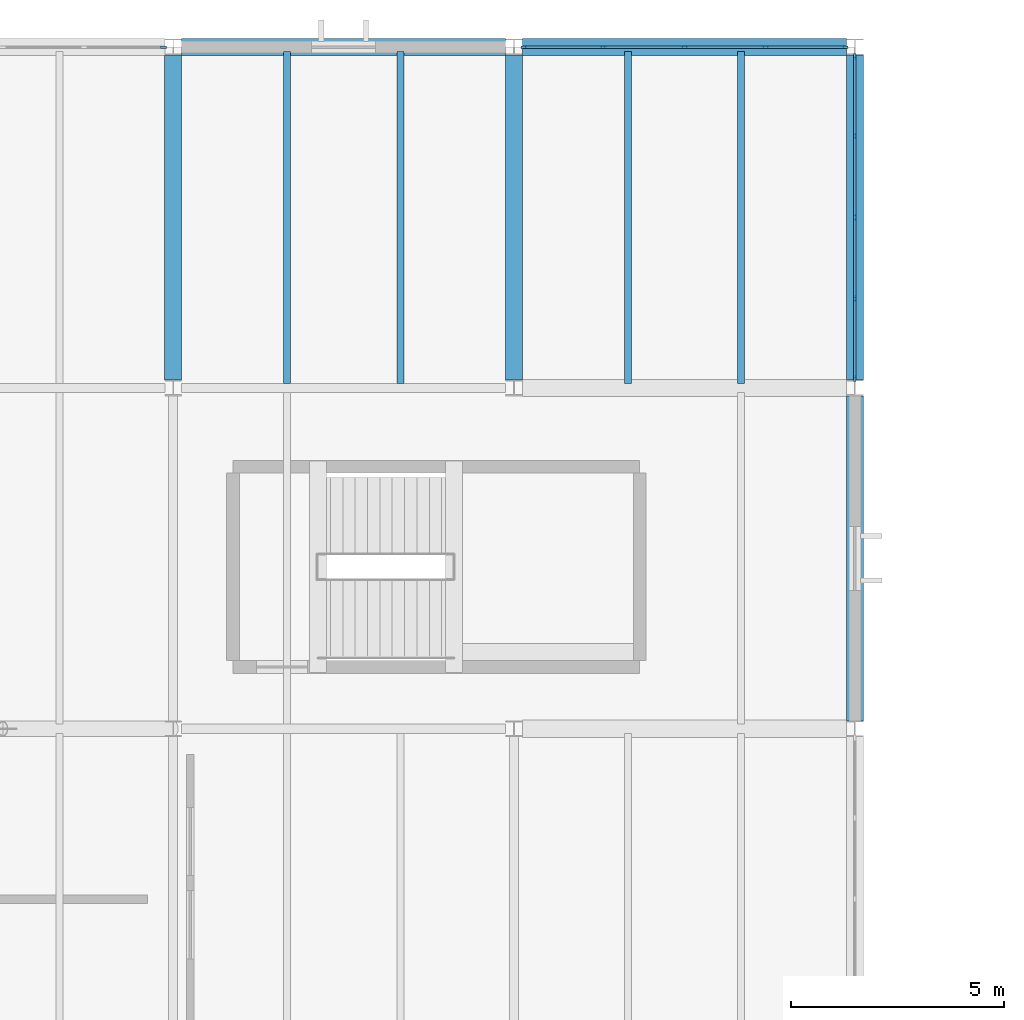
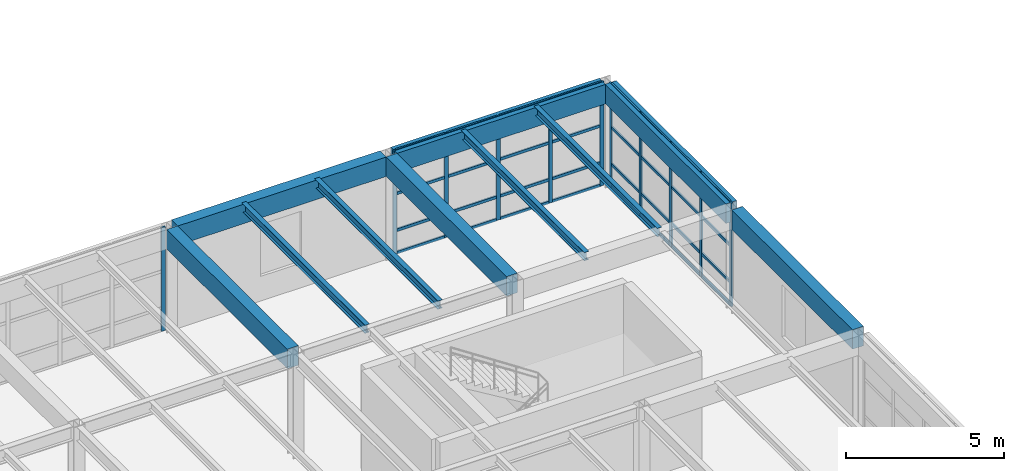
# One storey, part 18 of 48: 43 members, 10 beams, 3 elements without a shape of their own.
"""IFC4 building model written with IfcOpenShell, lengths in metres."""

from ifc_helpers import new_model, si_unit, direction, frame, origin, origin_2d, place, context, subcontext, project, spatial, rectangle, i_section, extrude, material, layer, layer_set, material_profile, profile_set, type_object, element, aggregate, save


model = new_model("IFC4")

# Units and contexts
model_context = context("Model", 3, precision=1e-05, world=origin(), true_north=direction((0.0, 1.0)))
body_context = subcontext(model_context, "Body", "Model", "MODEL_VIEW")
ifc_project = project(units=[si_unit("LENGTHUNIT", "METRE"), si_unit("AREAUNIT", "SQUARE_METRE"), si_unit("VOLUMEUNIT", "CUBIC_METRE"), si_unit("PLANEANGLEUNIT", "RADIAN"), si_unit("MASSUNIT", "GRAM", prefix="KILO")], contexts=[model_context])

# Site, building, storey
site_placement = place(None, origin())
site = spatial("IfcSite", under=ifc_project, at=site_placement, CompositionType="ELEMENT")
building_placement = place(site_placement, origin())
building = spatial("IfcBuilding", under=site, at=building_placement, Name="Varnela Railside Interchange", CompositionType="ELEMENT")
storey_placement = place(building_placement, frame((0.0, 0.0, 11.199951171875)))
storey = spatial("IfcBuildingStorey", under=building, at=storey_placement, Name="L02", CompositionType="ELEMENT", Elevation=11.199951171875)

# Beams
ifc_material_1 = material(Name="Steel AR 350 (350 MPa)", Category="steel")
ifc_material_profile_1 = material_profile(ifc_material_1, i_section(OverallWidth=0.1669921875, OverallDepth=0.31689453125, WebThickness=0.007568359375, FlangeThickness=0.01318359375, at=origin_2d()), Name="W310x52")
ifc_profile_set_1 = profile_set([ifc_material_profile_1], Name="Steel AR 350 (350 MPa)")
beam_type_1 = type_object("IfcBeamType", Name="Composite Long-Span Joist J-03", PredefinedType="JOIST", material=ifc_profile_set_1)
for number, where, z_axis, x_axis, name in (
    (1, (38.669921875, 86.10595703125, 3.841552734375), (0.0, 1.0, 0.0), (-1.0, 0.0, 0.0), "Composite Long-Span Joist J-03 (L02) (BM-1906)"),
    (2, (41.330078125, 86.10595703125, 3.841552734375), (0.0, 1.0, 0.0), (-1.0, 0.0, 0.0), "Composite Long-Span Joist J-03 (L02) (BM-1907)"),
    (3, (46.669921875, 86.10595703125, 3.841552734375), (0.0, 1.0, 0.0), (-1.0, 0.0, 0.0), "Composite Long-Span Joist J-03 (L02) (BM-1919)"),
    (4, (49.330078125, 86.10595703125, 3.841552734375), (0.0, 1.0, 0.0), (-1.0, 0.0, 0.0), "Composite Long-Span Joist J-03 (L02) (BM-1920)"),
):
    element("IfcBeam", number, at=place(storey_placement, frame(where, z_axis=z_axis, x_axis=x_axis)), inside=storey, type_object=beam_type_1, Name=name, PredefinedType="JOIST", context=body_context, shape_type="SweptSolid", body=[
        extrude(i_section(OverallWidth=0.1669921875, OverallDepth=0.31689453125, WebThickness=0.007568359375, FlangeThickness=0.01318359375, at=origin_2d()), origin(), (0.0, 0.0, 1.0), 7.7880859375),
    ])

# Curtain wall, member
ifc_material_2 = material(Name="Aluminium 6063-T6", Category="aluminium")
ifc_layer = layer(ifc_material_2, 0.035888671875)
ifc_layer_set = layer_set([ifc_layer], Name="Aluminium 6063-T6")
curtain_wall_type = type_object("IfcCurtainWallType", Name="Operations Wing Facade Curtain Wall CW-03", PredefinedType="USERDEFINED", material=ifc_layer_set)
curtain_wall_1_placement = place(storey_placement, origin())
curtain_wall_1 = element("IfcCurtainWall", 5, at=curtain_wall_1_placement, inside=storey, type_object=curtain_wall_type, Name="Curtain Wall CW-03 (L02) (CW-075)", ObjectType="CURTAIN WALL", PredefinedType="USERDEFINED")
ifc_material_profile_2 = material_profile(ifc_material_2, rectangle(XDim=0.06005859375, YDim=0.139892578125, at=origin_2d()), Name="ALU 60x140")
ifc_profile_set_2 = profile_set([ifc_material_profile_2], Name="Aluminium 6063-T6")
member_type_1 = type_object("IfcMemberType", Name="Curtain Wall Mullion ML-01", PredefinedType="MULLION", material=ifc_profile_set_2)
member_1_placement = place(storey_placement, frame((35.77294921875, 94.0, 0.0), z_axis=(0.0, 0.0, 1.0), x_axis=(0.0, 1.0, 0.0)))
member_1 = element("IfcMember", 6, at=member_1_placement, type_object=member_type_1, Name="CW-03 mullion 5", PredefinedType="MULLION", context=body_context, shape_type="SweptSolid", body=[
    extrude(rectangle(XDim=0.06005859375, YDim=0.139892578125, at=origin_2d()), origin(), (0.0, 0.0, 1.0), 4.0),
])
aggregate(curtain_wall_1, [member_1])

# Curtain wall, members
curtain_wall_2_placement = place(storey_placement, origin())
curtain_wall_2 = element("IfcCurtainWall", 7, at=curtain_wall_2_placement, inside=storey, type_object=curtain_wall_type, Name="Curtain Wall CW-03 (L02) (CW-048)", ObjectType="CURTAIN WALL", PredefinedType="USERDEFINED")
member_2_placement = place(storey_placement, frame((44.22705078125, 94.0, 0.0), z_axis=(0.0, 0.0, 1.0), x_axis=(0.0, 1.0, 0.0)))
member_2 = element("IfcMember", 8, at=member_2_placement, type_object=member_type_1, Name="CW-03 mullion 1", PredefinedType="MULLION", context=body_context, shape_type="SweptSolid", body=[
    extrude(rectangle(XDim=0.06005859375, YDim=0.139892578125, at=origin_2d()), origin(), (0.0, 0.0, 1.0), 4.0),
])
member_3_placement = place(storey_placement, frame((46.098388671875, 94.0, 0.0), z_axis=(0.0, 0.0, 1.0), x_axis=(0.0, 1.0, 0.0)))
member_3 = element("IfcMember", 9, at=member_3_placement, type_object=member_type_1, Name="CW-03 mullion 2", PredefinedType="MULLION", context=body_context, shape_type="SweptSolid", body=[
    extrude(rectangle(XDim=0.06005859375, YDim=0.139892578125, at=origin_2d()), origin(), (0.0, 0.0, 1.0), 4.0),
])
member_4_placement = place(storey_placement, frame((48.0, 94.0, 0.0), z_axis=(0.0, 0.0, 1.0), x_axis=(0.0, 1.0, 0.0)))
member_4 = element("IfcMember", 10, at=member_4_placement, type_object=member_type_1, Name="CW-03 mullion 3", PredefinedType="MULLION", context=body_context, shape_type="SweptSolid", body=[
    extrude(rectangle(XDim=0.06005859375, YDim=0.139892578125, at=origin_2d()), origin(), (0.0, 0.0, 1.0), 4.0),
])
member_5_placement = place(storey_placement, frame((49.901611328125, 94.0, 0.0), z_axis=(0.0, 0.0, 1.0), x_axis=(0.0, 1.0, 0.0)))
member_5 = element("IfcMember", 11, at=member_5_placement, type_object=member_type_1, Name="CW-03 mullion 4", PredefinedType="MULLION", context=body_context, shape_type="SweptSolid", body=[
    extrude(rectangle(XDim=0.06005859375, YDim=0.139892578125, at=origin_2d()), origin(), (0.0, 0.0, 1.0), 4.0),
])
member_6_placement = place(storey_placement, frame((51.77294921875, 94.0, 0.0), z_axis=(0.0, 0.0, 1.0), x_axis=(0.0, 1.0, 0.0)))
member_6 = element("IfcMember", 12, at=member_6_placement, type_object=member_type_1, Name="CW-03 mullion 5", PredefinedType="MULLION", context=body_context, shape_type="SweptSolid", body=[
    extrude(rectangle(XDim=0.06005859375, YDim=0.139892578125, at=origin_2d()), origin(), (0.0, 0.0, 1.0), 4.0),
])

curtain_wall_3_placement = place(storey_placement, origin())
curtain_wall_3 = element("IfcCurtainWall", 13, at=curtain_wall_3_placement, inside=storey, type_object=curtain_wall_type, Name="Curtain Wall CW-03 (L02) (CW-049)", ObjectType="CURTAIN WALL", PredefinedType="USERDEFINED")
member_7_placement = place(storey_placement, frame((52.0, 93.782470703125, 0.0), z_axis=(0.0, 0.0, 1.0), x_axis=(1.0, 0.0, 0.0)))
member_7 = element("IfcMember", 14, at=member_7_placement, type_object=member_type_1, Name="CW-03 mullion 1", PredefinedType="MULLION", context=body_context, shape_type="SweptSolid", body=[
    extrude(rectangle(XDim=0.06005859375, YDim=0.139892578125, at=origin_2d()), origin(), (0.0, 0.0, 1.0), 4.0),
])
member_8_placement = place(storey_placement, frame((52.0, 91.90625, 0.0), z_axis=(0.0, 0.0, 1.0), x_axis=(1.0, 0.0, 0.0)))
member_8 = element("IfcMember", 15, at=member_8_placement, type_object=member_type_1, Name="CW-03 mullion 2", PredefinedType="MULLION", context=body_context, shape_type="SweptSolid", body=[
    extrude(rectangle(XDim=0.06005859375, YDim=0.139892578125, at=origin_2d()), origin(), (0.0, 0.0, 1.0), 4.0),
])
member_9_placement = place(storey_placement, frame((52.0, 90.0, 0.0), z_axis=(0.0, 0.0, 1.0), x_axis=(1.0, 0.0, 0.0)))
member_9 = element("IfcMember", 16, at=member_9_placement, type_object=member_type_1, Name="CW-03 mullion 3", PredefinedType="MULLION", context=body_context, shape_type="SweptSolid", body=[
    extrude(rectangle(XDim=0.06005859375, YDim=0.139892578125, at=origin_2d()), origin(), (0.0, 0.0, 1.0), 4.0),
])
member_10_placement = place(storey_placement, frame((52.0, 88.09375, 0.0), z_axis=(0.0, 0.0, 1.0), x_axis=(1.0, 0.0, 0.0)))
member_10 = element("IfcMember", 17, at=member_10_placement, type_object=member_type_1, Name="CW-03 mullion 4", PredefinedType="MULLION", context=body_context, shape_type="SweptSolid", body=[
    extrude(rectangle(XDim=0.06005859375, YDim=0.139892578125, at=origin_2d()), origin(), (0.0, 0.0, 1.0), 4.0),
])
member_11_placement = place(storey_placement, frame((52.0, 86.217529296875, 0.0), z_axis=(0.0, 0.0, 1.0), x_axis=(1.0, 0.0, 0.0)))
member_11 = element("IfcMember", 18, at=member_11_placement, type_object=member_type_1, Name="CW-03 mullion 5", PredefinedType="MULLION", context=body_context, shape_type="SweptSolid", body=[
    extrude(rectangle(XDim=0.06005859375, YDim=0.139892578125, at=origin_2d()), origin(), (0.0, 0.0, 1.0), 4.0),
])

# Member
ifc_material_profile_3 = material_profile(ifc_material_2, rectangle(XDim=0.06005859375, YDim=0.110107421875, at=origin_2d()), Name="ALU 60x110")
ifc_profile_set_3 = profile_set([ifc_material_profile_3], Name="Aluminium 6063-T6")
member_type_2 = type_object("IfcMemberType", Name="Curtain Wall Transom TR-01", PredefinedType="USERDEFINED", material=ifc_profile_set_3)
member_12_placement = place(storey_placement, frame((44.257080078125, 94.0, 0.030029296875), z_axis=(1.0, 0.0, 0.0), x_axis=(0.0, 1.0, 0.0)))
member_12 = element("IfcMember", 19, at=member_12_placement, type_object=member_type_2, Name="CW-03 transom 1.1", ObjectType="TRANSOM", PredefinedType="USERDEFINED", context=body_context, shape_type="SweptSolid", body=[
    extrude(rectangle(XDim=0.06005859375, YDim=0.110107421875, at=origin_2d()), origin(), (0.0, 0.0, 1.0), 1.8115234375),
])

member_13_placement = place(storey_placement, frame((44.257080078125, 94.0, 0.900146484375), z_axis=(1.0, 0.0, 0.0), x_axis=(0.0, 1.0, 0.0)))
member_13 = element("IfcMember", 20, at=member_13_placement, type_object=member_type_2, Name="CW-03 transom 1.2", ObjectType="TRANSOM", PredefinedType="USERDEFINED", context=body_context, shape_type="SweptSolid", body=[
    extrude(rectangle(XDim=0.06005859375, YDim=0.110107421875, at=origin_2d()), origin(), (0.0, 0.0, 1.0), 1.8115234375),
])

member_14_placement = place(storey_placement, frame((44.257080078125, 94.0, 2.320068359375), z_axis=(1.0, 0.0, 0.0), x_axis=(0.0, 1.0, 0.0)))
member_14 = element("IfcMember", 21, at=member_14_placement, type_object=member_type_2, Name="CW-03 transom 1.3", ObjectType="TRANSOM", PredefinedType="USERDEFINED", context=body_context, shape_type="SweptSolid", body=[
    extrude(rectangle(XDim=0.06005859375, YDim=0.110107421875, at=origin_2d()), origin(), (0.0, 0.0, 1.0), 1.8115234375),
])

member_15_placement = place(storey_placement, frame((44.257080078125, 94.0, 3.969970703125), z_axis=(1.0, 0.0, 0.0), x_axis=(0.0, 1.0, 0.0)))
member_15 = element("IfcMember", 22, at=member_15_placement, type_object=member_type_2, Name="CW-03 transom 1.4", ObjectType="TRANSOM", PredefinedType="USERDEFINED", context=body_context, shape_type="SweptSolid", body=[
    extrude(rectangle(XDim=0.06005859375, YDim=0.110107421875, at=origin_2d()), origin(), (0.0, 0.0, 1.0), 1.8115234375),
])

member_16_placement = place(storey_placement, frame((46.12841796875, 94.0, 0.030029296875), z_axis=(1.0, 0.0, 0.0), x_axis=(0.0, 1.0, 0.0)))
member_16 = element("IfcMember", 23, at=member_16_placement, type_object=member_type_2, Name="CW-03 transom 2.1", ObjectType="TRANSOM", PredefinedType="USERDEFINED", context=body_context, shape_type="SweptSolid", body=[
    extrude(rectangle(XDim=0.06005859375, YDim=0.110107421875, at=origin_2d()), origin(), (0.0, 0.0, 1.0), 1.841552734375),
])

member_17_placement = place(storey_placement, frame((46.12841796875, 94.0, 0.900146484375), z_axis=(1.0, 0.0, 0.0), x_axis=(0.0, 1.0, 0.0)))
member_17 = element("IfcMember", 24, at=member_17_placement, type_object=member_type_2, Name="CW-03 transom 2.2", ObjectType="TRANSOM", PredefinedType="USERDEFINED", context=body_context, shape_type="SweptSolid", body=[
    extrude(rectangle(XDim=0.06005859375, YDim=0.110107421875, at=origin_2d()), origin(), (0.0, 0.0, 1.0), 1.841552734375),
])

member_18_placement = place(storey_placement, frame((46.12841796875, 94.0, 2.320068359375), z_axis=(1.0, 0.0, 0.0), x_axis=(0.0, 1.0, 0.0)))
member_18 = element("IfcMember", 25, at=member_18_placement, type_object=member_type_2, Name="CW-03 transom 2.3", ObjectType="TRANSOM", PredefinedType="USERDEFINED", context=body_context, shape_type="SweptSolid", body=[
    extrude(rectangle(XDim=0.06005859375, YDim=0.110107421875, at=origin_2d()), origin(), (0.0, 0.0, 1.0), 1.841552734375),
])

member_19_placement = place(storey_placement, frame((46.12841796875, 94.0, 3.969970703125), z_axis=(1.0, 0.0, 0.0), x_axis=(0.0, 1.0, 0.0)))
member_19 = element("IfcMember", 26, at=member_19_placement, type_object=member_type_2, Name="CW-03 transom 2.4", ObjectType="TRANSOM", PredefinedType="USERDEFINED", context=body_context, shape_type="SweptSolid", body=[
    extrude(rectangle(XDim=0.06005859375, YDim=0.110107421875, at=origin_2d()), origin(), (0.0, 0.0, 1.0), 1.841552734375),
])

member_20_placement = place(storey_placement, frame((48.030029296875, 94.0, 0.030029296875), z_axis=(1.0, 0.0, 0.0), x_axis=(0.0, 1.0, 0.0)))
member_20 = element("IfcMember", 27, at=member_20_placement, type_object=member_type_2, Name="CW-03 transom 3.1", ObjectType="TRANSOM", PredefinedType="USERDEFINED", context=body_context, shape_type="SweptSolid", body=[
    extrude(rectangle(XDim=0.06005859375, YDim=0.110107421875, at=origin_2d()), origin(), (0.0, 0.0, 1.0), 1.841552734375),
])

member_21_placement = place(storey_placement, frame((48.030029296875, 94.0, 0.900146484375), z_axis=(1.0, 0.0, 0.0), x_axis=(0.0, 1.0, 0.0)))
member_21 = element("IfcMember", 28, at=member_21_placement, type_object=member_type_2, Name="CW-03 transom 3.2", ObjectType="TRANSOM", PredefinedType="USERDEFINED", context=body_context, shape_type="SweptSolid", body=[
    extrude(rectangle(XDim=0.06005859375, YDim=0.110107421875, at=origin_2d()), origin(), (0.0, 0.0, 1.0), 1.841552734375),
])

member_22_placement = place(storey_placement, frame((48.030029296875, 94.0, 2.320068359375), z_axis=(1.0, 0.0, 0.0), x_axis=(0.0, 1.0, 0.0)))
member_22 = element("IfcMember", 29, at=member_22_placement, type_object=member_type_2, Name="CW-03 transom 3.3", ObjectType="TRANSOM", PredefinedType="USERDEFINED", context=body_context, shape_type="SweptSolid", body=[
    extrude(rectangle(XDim=0.06005859375, YDim=0.110107421875, at=origin_2d()), origin(), (0.0, 0.0, 1.0), 1.841552734375),
])

member_23_placement = place(storey_placement, frame((48.030029296875, 94.0, 3.969970703125), z_axis=(1.0, 0.0, 0.0), x_axis=(0.0, 1.0, 0.0)))
member_23 = element("IfcMember", 30, at=member_23_placement, type_object=member_type_2, Name="CW-03 transom 3.4", ObjectType="TRANSOM", PredefinedType="USERDEFINED", context=body_context, shape_type="SweptSolid", body=[
    extrude(rectangle(XDim=0.06005859375, YDim=0.110107421875, at=origin_2d()), origin(), (0.0, 0.0, 1.0), 1.841552734375),
])

member_24_placement = place(storey_placement, frame((49.931396484375, 94.0, 0.030029296875), z_axis=(1.0, 0.0, 0.0), x_axis=(0.0, 1.0, 0.0)))
member_24 = element("IfcMember", 31, at=member_24_placement, type_object=member_type_2, Name="CW-03 transom 4.1", ObjectType="TRANSOM", PredefinedType="USERDEFINED", context=body_context, shape_type="SweptSolid", body=[
    extrude(rectangle(XDim=0.06005859375, YDim=0.110107421875, at=origin_2d()), origin(), (0.0, 0.0, 1.0), 1.8115234375),
])

member_25_placement = place(storey_placement, frame((49.931396484375, 94.0, 0.900146484375), z_axis=(1.0, 0.0, 0.0), x_axis=(0.0, 1.0, 0.0)))
member_25 = element("IfcMember", 32, at=member_25_placement, type_object=member_type_2, Name="CW-03 transom 4.2", ObjectType="TRANSOM", PredefinedType="USERDEFINED", context=body_context, shape_type="SweptSolid", body=[
    extrude(rectangle(XDim=0.06005859375, YDim=0.110107421875, at=origin_2d()), origin(), (0.0, 0.0, 1.0), 1.8115234375),
])

member_26_placement = place(storey_placement, frame((49.931396484375, 94.0, 2.320068359375), z_axis=(1.0, 0.0, 0.0), x_axis=(0.0, 1.0, 0.0)))
member_26 = element("IfcMember", 33, at=member_26_placement, type_object=member_type_2, Name="CW-03 transom 4.3", ObjectType="TRANSOM", PredefinedType="USERDEFINED", context=body_context, shape_type="SweptSolid", body=[
    extrude(rectangle(XDim=0.06005859375, YDim=0.110107421875, at=origin_2d()), origin(), (0.0, 0.0, 1.0), 1.8115234375),
])

member_27_placement = place(storey_placement, frame((49.931396484375, 94.0, 3.969970703125), z_axis=(1.0, 0.0, 0.0), x_axis=(0.0, 1.0, 0.0)))
member_27 = element("IfcMember", 34, at=member_27_placement, type_object=member_type_2, Name="CW-03 transom 4.4", ObjectType="TRANSOM", PredefinedType="USERDEFINED", context=body_context, shape_type="SweptSolid", body=[
    extrude(rectangle(XDim=0.06005859375, YDim=0.110107421875, at=origin_2d()), origin(), (0.0, 0.0, 1.0), 1.8115234375),
])

aggregate(curtain_wall_2, [member_2, member_3, member_4, member_5, member_6, member_12, member_13, member_14, member_15, member_16, member_17, member_18, member_19, member_20, member_21, member_22, member_23, member_24, member_25, member_26, member_27])

member_28_placement = place(storey_placement, frame((52.0, 93.75244140625, 0.030029296875), z_axis=(0.0, -1.0, 0.0), x_axis=(1.0, 0.0, 0.0)))
member_28 = element("IfcMember", 35, at=member_28_placement, type_object=member_type_2, Name="CW-03 transom 1.1", ObjectType="TRANSOM", PredefinedType="USERDEFINED", context=body_context, shape_type="SweptSolid", body=[
    extrude(rectangle(XDim=0.06005859375, YDim=0.110107421875, at=origin_2d()), origin(), (0.0, 0.0, 1.0), 1.816162109375),
])

member_29_placement = place(storey_placement, frame((52.0, 93.75244140625, 0.900146484375), z_axis=(0.0, -1.0, 0.0), x_axis=(1.0, 0.0, 0.0)))
member_29 = element("IfcMember", 36, at=member_29_placement, type_object=member_type_2, Name="CW-03 transom 1.2", ObjectType="TRANSOM", PredefinedType="USERDEFINED", context=body_context, shape_type="SweptSolid", body=[
    extrude(rectangle(XDim=0.06005859375, YDim=0.110107421875, at=origin_2d()), origin(), (0.0, 0.0, 1.0), 1.816162109375),
])

member_30_placement = place(storey_placement, frame((52.0, 93.75244140625, 2.320068359375), z_axis=(0.0, -1.0, 0.0), x_axis=(1.0, 0.0, 0.0)))
member_30 = element("IfcMember", 37, at=member_30_placement, type_object=member_type_2, Name="CW-03 transom 1.3", ObjectType="TRANSOM", PredefinedType="USERDEFINED", context=body_context, shape_type="SweptSolid", body=[
    extrude(rectangle(XDim=0.06005859375, YDim=0.110107421875, at=origin_2d()), origin(), (0.0, 0.0, 1.0), 1.816162109375),
])

member_31_placement = place(storey_placement, frame((52.0, 93.75244140625, 3.969970703125), z_axis=(0.0, -1.0, 0.0), x_axis=(1.0, 0.0, 0.0)))
member_31 = element("IfcMember", 38, at=member_31_placement, type_object=member_type_2, Name="CW-03 transom 1.4", ObjectType="TRANSOM", PredefinedType="USERDEFINED", context=body_context, shape_type="SweptSolid", body=[
    extrude(rectangle(XDim=0.06005859375, YDim=0.110107421875, at=origin_2d()), origin(), (0.0, 0.0, 1.0), 1.816162109375),
])

member_32_placement = place(storey_placement, frame((52.0, 91.876220703125, 0.030029296875), z_axis=(0.0, -1.0, 0.0), x_axis=(1.0, 0.0, 0.0)))
member_32 = element("IfcMember", 39, at=member_32_placement, type_object=member_type_2, Name="CW-03 transom 2.1", ObjectType="TRANSOM", PredefinedType="USERDEFINED", context=body_context, shape_type="SweptSolid", body=[
    extrude(rectangle(XDim=0.06005859375, YDim=0.110107421875, at=origin_2d()), origin(), (0.0, 0.0, 1.0), 1.84619140625),
])

member_33_placement = place(storey_placement, frame((52.0, 91.876220703125, 0.900146484375), z_axis=(0.0, -1.0, 0.0), x_axis=(1.0, 0.0, 0.0)))
member_33 = element("IfcMember", 40, at=member_33_placement, type_object=member_type_2, Name="CW-03 transom 2.2", ObjectType="TRANSOM", PredefinedType="USERDEFINED", context=body_context, shape_type="SweptSolid", body=[
    extrude(rectangle(XDim=0.06005859375, YDim=0.110107421875, at=origin_2d()), origin(), (0.0, 0.0, 1.0), 1.84619140625),
])

member_34_placement = place(storey_placement, frame((52.0, 91.876220703125, 2.320068359375), z_axis=(0.0, -1.0, 0.0), x_axis=(1.0, 0.0, 0.0)))
member_34 = element("IfcMember", 41, at=member_34_placement, type_object=member_type_2, Name="CW-03 transom 2.3", ObjectType="TRANSOM", PredefinedType="USERDEFINED", context=body_context, shape_type="SweptSolid", body=[
    extrude(rectangle(XDim=0.06005859375, YDim=0.110107421875, at=origin_2d()), origin(), (0.0, 0.0, 1.0), 1.84619140625),
])

member_35_placement = place(storey_placement, frame((52.0, 91.876220703125, 3.969970703125), z_axis=(0.0, -1.0, 0.0), x_axis=(1.0, 0.0, 0.0)))
member_35 = element("IfcMember", 42, at=member_35_placement, type_object=member_type_2, Name="CW-03 transom 2.4", ObjectType="TRANSOM", PredefinedType="USERDEFINED", context=body_context, shape_type="SweptSolid", body=[
    extrude(rectangle(XDim=0.06005859375, YDim=0.110107421875, at=origin_2d()), origin(), (0.0, 0.0, 1.0), 1.84619140625),
])

member_36_placement = place(storey_placement, frame((52.0, 89.969970703125, 0.030029296875), z_axis=(0.0, -1.0, 0.0), x_axis=(1.0, 0.0, 0.0)))
member_36 = element("IfcMember", 43, at=member_36_placement, type_object=member_type_2, Name="CW-03 transom 3.1", ObjectType="TRANSOM", PredefinedType="USERDEFINED", context=body_context, shape_type="SweptSolid", body=[
    extrude(rectangle(XDim=0.06005859375, YDim=0.110107421875, at=origin_2d()), origin(), (0.0, 0.0, 1.0), 1.84619140625),
])

member_37_placement = place(storey_placement, frame((52.0, 89.969970703125, 0.900146484375), z_axis=(0.0, -1.0, 0.0), x_axis=(1.0, 0.0, 0.0)))
member_37 = element("IfcMember", 44, at=member_37_placement, type_object=member_type_2, Name="CW-03 transom 3.2", ObjectType="TRANSOM", PredefinedType="USERDEFINED", context=body_context, shape_type="SweptSolid", body=[
    extrude(rectangle(XDim=0.06005859375, YDim=0.110107421875, at=origin_2d()), origin(), (0.0, 0.0, 1.0), 1.84619140625),
])

member_38_placement = place(storey_placement, frame((52.0, 89.969970703125, 2.320068359375), z_axis=(0.0, -1.0, 0.0), x_axis=(1.0, 0.0, 0.0)))
member_38 = element("IfcMember", 45, at=member_38_placement, type_object=member_type_2, Name="CW-03 transom 3.3", ObjectType="TRANSOM", PredefinedType="USERDEFINED", context=body_context, shape_type="SweptSolid", body=[
    extrude(rectangle(XDim=0.06005859375, YDim=0.110107421875, at=origin_2d()), origin(), (0.0, 0.0, 1.0), 1.84619140625),
])

member_39_placement = place(storey_placement, frame((52.0, 89.969970703125, 3.969970703125), z_axis=(0.0, -1.0, 0.0), x_axis=(1.0, 0.0, 0.0)))
member_39 = element("IfcMember", 46, at=member_39_placement, type_object=member_type_2, Name="CW-03 transom 3.4", ObjectType="TRANSOM", PredefinedType="USERDEFINED", context=body_context, shape_type="SweptSolid", body=[
    extrude(rectangle(XDim=0.06005859375, YDim=0.110107421875, at=origin_2d()), origin(), (0.0, 0.0, 1.0), 1.84619140625),
])

member_40_placement = place(storey_placement, frame((52.0, 88.063720703125, 0.030029296875), z_axis=(0.0, -1.0, 0.0), x_axis=(1.0, 0.0, 0.0)))
member_40 = element("IfcMember", 47, at=member_40_placement, type_object=member_type_2, Name="CW-03 transom 4.1", ObjectType="TRANSOM", PredefinedType="USERDEFINED", context=body_context, shape_type="SweptSolid", body=[
    extrude(rectangle(XDim=0.06005859375, YDim=0.110107421875, at=origin_2d()), origin(), (0.0, 0.0, 1.0), 1.816162109375),
])

member_41_placement = place(storey_placement, frame((52.0, 88.063720703125, 0.900146484375), z_axis=(0.0, -1.0, 0.0), x_axis=(1.0, 0.0, 0.0)))
member_41 = element("IfcMember", 48, at=member_41_placement, type_object=member_type_2, Name="CW-03 transom 4.2", ObjectType="TRANSOM", PredefinedType="USERDEFINED", context=body_context, shape_type="SweptSolid", body=[
    extrude(rectangle(XDim=0.06005859375, YDim=0.110107421875, at=origin_2d()), origin(), (0.0, 0.0, 1.0), 1.816162109375),
])

member_42_placement = place(storey_placement, frame((52.0, 88.063720703125, 2.320068359375), z_axis=(0.0, -1.0, 0.0), x_axis=(1.0, 0.0, 0.0)))
member_42 = element("IfcMember", 49, at=member_42_placement, type_object=member_type_2, Name="CW-03 transom 4.3", ObjectType="TRANSOM", PredefinedType="USERDEFINED", context=body_context, shape_type="SweptSolid", body=[
    extrude(rectangle(XDim=0.06005859375, YDim=0.110107421875, at=origin_2d()), origin(), (0.0, 0.0, 1.0), 1.816162109375),
])

member_43_placement = place(storey_placement, frame((52.0, 88.063720703125, 3.969970703125), z_axis=(0.0, -1.0, 0.0), x_axis=(1.0, 0.0, 0.0)))
member_43 = element("IfcMember", 50, at=member_43_placement, type_object=member_type_2, Name="CW-03 transom 4.4", ObjectType="TRANSOM", PredefinedType="USERDEFINED", context=body_context, shape_type="SweptSolid", body=[
    extrude(rectangle(XDim=0.06005859375, YDim=0.110107421875, at=origin_2d()), origin(), (0.0, 0.0, 1.0), 1.816162109375),
])

aggregate(curtain_wall_3, [member_7, member_8, member_9, member_10, member_11, member_28, member_29, member_30, member_31, member_32, member_33, member_34, member_35, member_36, member_37, member_38, member_39, member_40, member_41, member_42, member_43])

# Beams
ifc_material_3 = material(Name="Concrete C40 precast", Category="concrete")
ifc_material_profile_4 = material_profile(ifc_material_3, rectangle(XDim=0.39990234375, YDim=0.75, at=origin_2d()), Name="PC 400x750")
ifc_profile_set_4 = profile_set([ifc_material_profile_4], Name="Concrete C40 precast")
beam_type_2 = type_object("IfcBeamType", Name="Precast Facade Spandrel SP-03", PredefinedType="SPANDREL", material=ifc_profile_set_4)
for number, where, z_axis, x_axis, name in (
    (51, (36.197021484375, 94.0, 3.625), (1.0, 0.0, 0.0), (0.0, 1.0, 0.0), "Precast Facade Spandrel SP-03 (L02) (BM-2016)"),
    (52, (44.197021484375, 94.0, 3.625), (1.0, 0.0, 0.0), (0.0, 1.0, 0.0), "Precast Facade Spandrel SP-03 (L02) (BM-2017)"),
):
    element("IfcBeam", number, at=place(storey_placement, frame(where, z_axis=z_axis, x_axis=x_axis)), inside=storey, type_object=beam_type_2, Name=name, PredefinedType="SPANDREL", context=body_context, shape_type="SweptSolid", body=[
        extrude(rectangle(XDim=0.39990234375, YDim=0.75, at=origin_2d()), origin(), (0.0, 0.0, 1.0), 7.60595703125),
    ])
for number, where, z_axis, x_axis, name in (
    (53, (36.0, 86.1875, 3.625), (0.0, 1.0, 0.0), (-1.0, 0.0, 0.0), "Precast Facade Spandrel SP-03 (L02) (BM-2082)"),
    (54, (44.0, 86.1875, 3.625), (0.0, 1.0, 0.0), (-1.0, 0.0, 0.0), "Precast Facade Spandrel SP-03 (L02) (BM-2088)"),
    (55, (52.0, 78.1875, 3.625), (0.0, 1.0, 0.0), (-1.0, 0.0, 0.0), "Precast Facade Spandrel SP-03 (L02) (BM-2094)"),
    (56, (52.0, 86.1875, 3.625), (0.0, 1.0, 0.0), (-1.0, 0.0, 0.0), "Precast Facade Spandrel SP-03 (L02) (BM-2095)"),
):
    element("IfcBeam", number, at=place(storey_placement, frame(where, z_axis=z_axis, x_axis=x_axis)), inside=storey, type_object=beam_type_2, Name=name, PredefinedType="SPANDREL", context=body_context, shape_type="SweptSolid", body=[
        extrude(rectangle(XDim=0.39990234375, YDim=0.75, at=origin_2d()), origin(), (0.0, 0.0, 1.0), 7.625),
    ])

save(model, "model.ifc")
